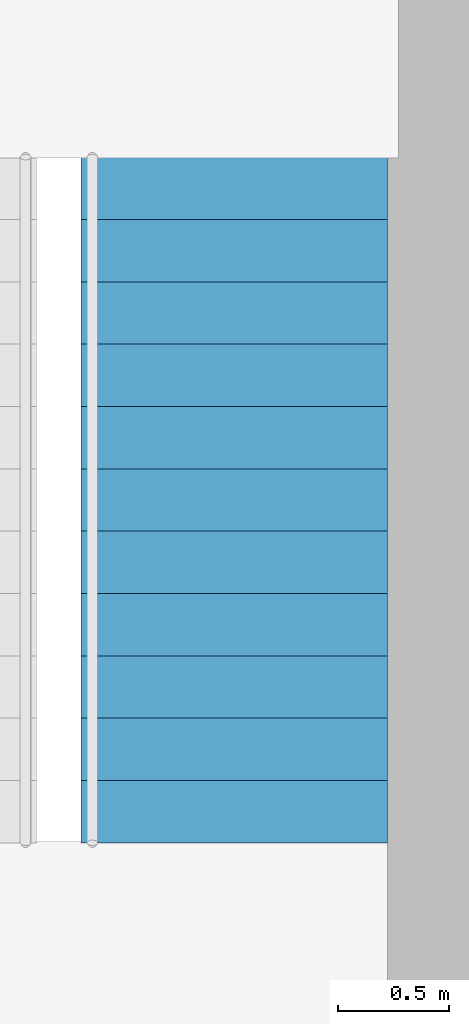
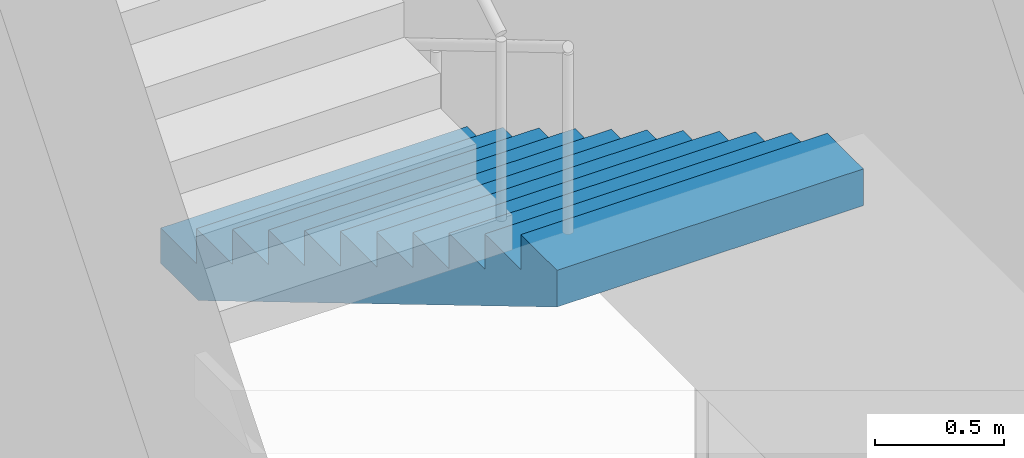
# One storey, part 5 of 6: 1 stair flight, 1 element without a shape of its own.
"""IFC4 building model written with IfcOpenShell, lengths in metres."""

from ifc_helpers import new_model, si_unit, direction, frame, origin, place, context, subcontext, project, spatial, polyline, outline, extrude, material, type_object, element, aggregate, save


model = new_model("IFC4")

# Units and contexts
model_context = context("Model", 3, precision=1e-05, world=origin(), true_north=direction((0.0, 1.0)))
body_context = subcontext(model_context, "Body", "Model", "MODEL_VIEW")
ifc_project = project(units=[si_unit("LENGTHUNIT", "METRE"), si_unit("AREAUNIT", "SQUARE_METRE"), si_unit("VOLUMEUNIT", "CUBIC_METRE"), si_unit("PLANEANGLEUNIT", "RADIAN"), si_unit("MASSUNIT", "GRAM", prefix="KILO")], contexts=[model_context])

# Site, building, storey
site_placement = place(None, origin())
site = spatial("IfcSite", under=ifc_project, at=site_placement, CompositionType="ELEMENT")
building_placement = place(site_placement, origin())
building = spatial("IfcBuilding", under=site, at=building_placement, Name="Golbaran Civic Tower", CompositionType="ELEMENT")
storey_placement = place(building_placement, frame((0.0, 0.0, 159.0)))
storey = spatial("IfcBuildingStorey", under=building, at=storey_placement, Name="L38", CompositionType="ELEMENT", Elevation=159.0)

# Stair, stair flight
ifc_material = material(Name="Concrete C35/45", Category="concrete")
stair_type = type_object("IfcStairType", Name="EXIT STAIR 2950 x 7800, 4000 RISE", PredefinedType="HALF_TURN_STAIR", material=ifc_material)
stair_placement = place(storey_placement, origin())
stair = element("IfcStair", 1, at=stair_placement, inside=storey, type_object=stair_type, Name="Stair S2 L38", PredefinedType="HALF_TURN_STAIR")
stair_flight_type = type_object("IfcStairFlightType", Name="STAIR FLIGHT 1375 WIDE", PredefinedType="STRAIGHT", material=ifc_material)
stair_flight_placement = place(storey_placement, frame((8.862548828125, -3.050048828125, 0.0), z_axis=(0.0, 0.0, 1.0), x_axis=(0.0, -1.0, 0.0)))
stair_flight = element("IfcStairFlight", 2, at=stair_flight_placement, type_object=stair_flight_type, Name="ST29578-40 flight 1", NumberOfRisers=12, NumberOfTreads=11, PredefinedType="STRAIGHT", RiserHeight=0.166666667, TreadLength=0.28, context=body_context, shape_type="SweptSolid", body=[
    extrude(outline(polyline([(0.0, 0.0), (0.0, 0.166748046875), (0.280029296875, 0.166748046875), (0.280029296875, 0.333251953125), (0.56005859375, 0.333251953125), (0.56005859375, 0.5), (0.840087890625, 0.5), (0.840087890625, 0.666748046875), (1.1201171875, 0.666748046875), (1.1201171875, 0.833251953125), (1.39990234375, 0.833251953125), (1.39990234375, 1.0), (1.679931640625, 1.0), (1.679931640625, 1.166748046875), (1.9599609375, 1.166748046875), (1.9599609375, 1.333251953125), (2.239990234375, 1.333251953125), (2.239990234375, 1.5), (2.52001953125, 1.5), (2.52001953125, 1.666748046875), (2.800048828125, 1.666748046875), (2.800048828125, 1.833251953125), (3.080078125, 1.833251953125), (3.080078125, 2.0), (3.080078125, 1.658935546875), (0.29296875, 0.0), (0.0, 0.0)])), frame((0.0, 0.6875, 0.0), z_axis=(0.0, -1.0, 0.0), x_axis=(1.0, 0.0, 0.0)), (0.0, 0.0, 1.0), 1.375),
])
aggregate(stair, [stair_flight])

save(model, "model.ifc")
